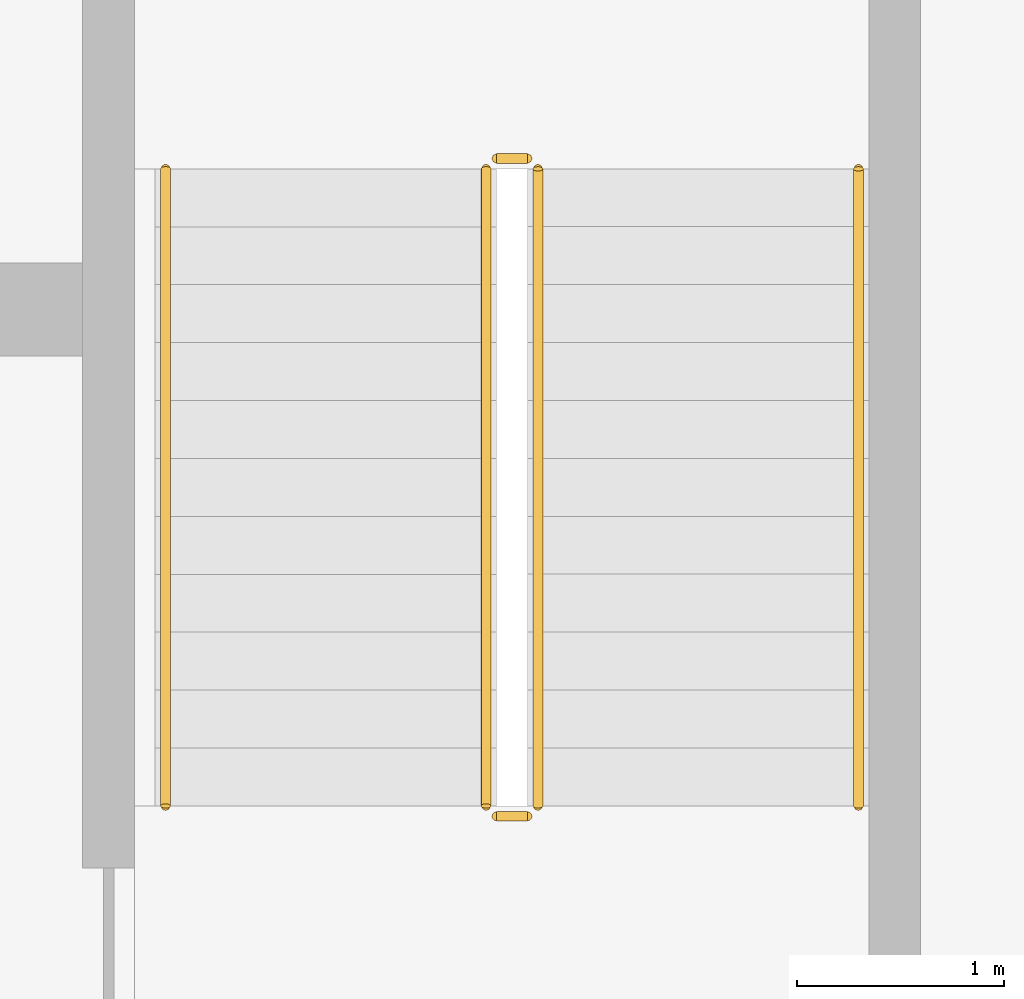
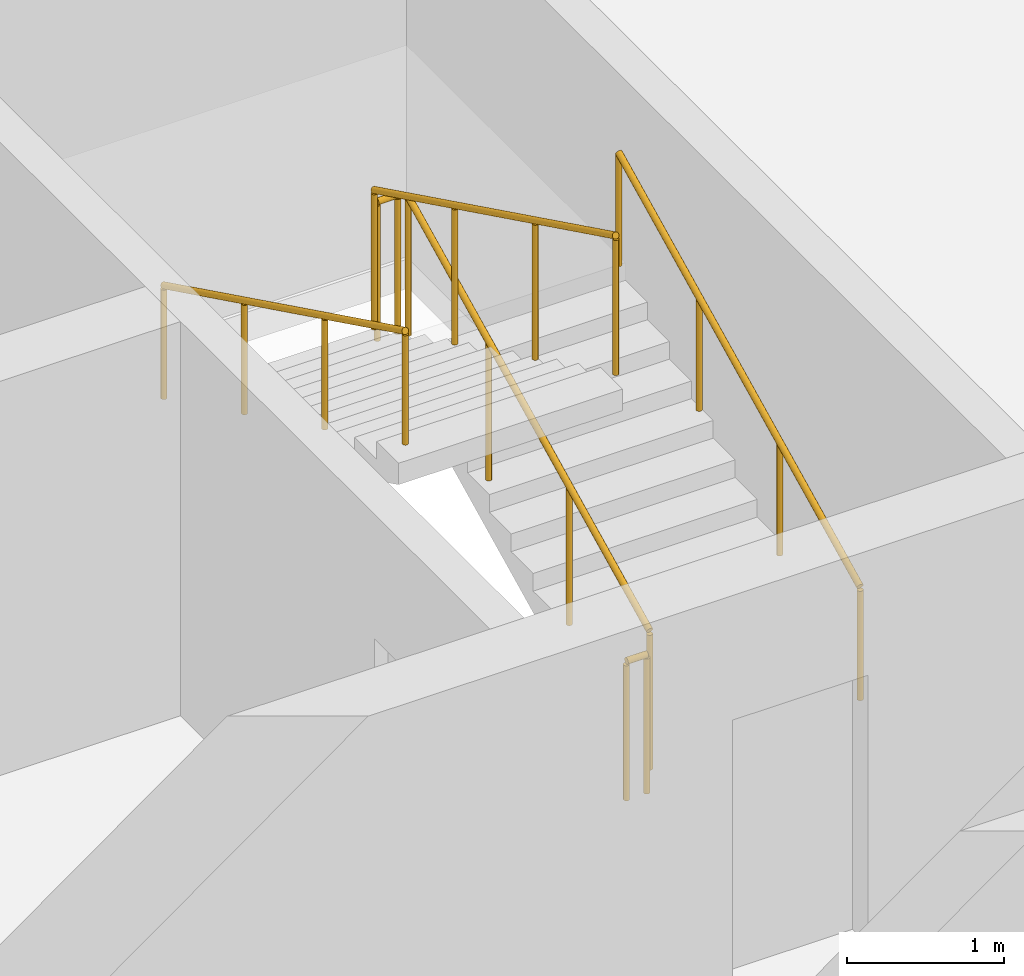
# One storey, part 16 of 32: 6 railings.
"""IFC4 building model written with IfcOpenShell, lengths in metres."""

from ifc_helpers import new_model, si_unit, direction, frame, origin, origin_2d, place, context, subcontext, project, spatial, circle, extrude, material, type_object, element, save


model = new_model("IFC4")

# Units and contexts
model_context = context("Model", 3, precision=1e-05, world=origin(), true_north=direction((0.0, 1.0)))
body_context = subcontext(model_context, "Body", "Model", "MODEL_VIEW")
ifc_project = project(units=[si_unit("LENGTHUNIT", "METRE"), si_unit("AREAUNIT", "SQUARE_METRE"), si_unit("VOLUMEUNIT", "CUBIC_METRE"), si_unit("PLANEANGLEUNIT", "RADIAN"), si_unit("MASSUNIT", "GRAM", prefix="KILO")], contexts=[model_context])

# Site, building, storey
site_placement = place(None, origin())
site = spatial("IfcSite", under=ifc_project, at=site_placement, CompositionType="ELEMENT")
building_placement = place(site_placement, origin())
building = spatial("IfcBuilding", under=site, at=building_placement, Name="Poui Terraces", CompositionType="ELEMENT")
storey_placement = place(building_placement, frame((0.0, 0.0, 125.699951171875)))
storey = spatial("IfcBuildingStorey", under=building, at=storey_placement, Name="L34", CompositionType="ELEMENT", Elevation=125.699951171875)

# Railings
ifc_material_1 = material(Name="Galvanised steel balustrade", Category="steel")
railing_type_1 = type_object("IfcRailingType", Name="STAIR GUARD 1100", PredefinedType="GUARDRAIL", material=ifc_material_1)
railing_1_placement = place(storey_placement, frame((70.27490234375, 16.60009765625, 0.137451171875)))
element("IfcRailing", 1, at=railing_1_placement, inside=storey, type_object=railing_type_1, Name="L34 ST-CE stair guard 1", PredefinedType="GUARDRAIL", context=body_context, shape_type="SweptSolid", body=[
    extrude(circle(Radius=0.02392578125, at=origin_2d()), frame((0.0, 0.0, 1.076171875), z_axis=(0.0, 0.897578036475, 0.440855609512), x_axis=(-1.0, 0.0, 0.0)), (0.0, 0.0, 1.0), 3.43115234375),
    extrude(circle(Radius=0.02099609375, at=origin_2d()), origin(), (0.0, 0.0, 1.0), 1.052001953125),
    extrude(circle(Radius=0.02099609375, at=origin_2d()), frame((0.0, 1.026611328125, 0.504150390625)), (0.0, 0.0, 1.0), 1.052001953125),
    extrude(circle(Radius=0.02099609375, at=origin_2d()), frame((0.0, 2.05322265625, 1.008544921875)), (0.0, 0.0, 1.0), 1.052001953125),
    extrude(circle(Radius=0.02099609375, at=origin_2d()), frame((0.0, 3.079833984375, 1.5126953125)), (0.0, 0.0, 1.0), 1.052001953125),
])
railing_2_placement = place(storey_placement, frame((70.22509765625, 19.72998046875, 1.650146484375)))
element("IfcRailing", 2, at=railing_2_placement, inside=storey, type_object=railing_type_1, Name="L34 ST-CE stair guard 2", PredefinedType="GUARDRAIL", context=body_context, shape_type="SweptSolid", body=[
    extrude(circle(Radius=0.02392578125, at=origin_2d()), frame((0.0, 0.0, 1.076171875), z_axis=(-1.0, 0.0, 0.0), x_axis=(0.0, -1.0, 0.0)), (0.0, 0.0, 1.0), 0.150146484375),
    extrude(circle(Radius=0.02099609375, at=origin_2d()), origin(), (0.0, 0.0, 1.0), 1.052001953125),
    extrude(circle(Radius=0.02099609375, at=origin_2d()), frame((-0.150146484375, 0.0, 0.0)), (0.0, 0.0, 1.0), 1.052001953125),
])
railing_3_placement = place(storey_placement, frame((70.02490234375, 19.679931640625, 1.78759765625)))
element("IfcRailing", 3, at=railing_3_placement, inside=storey, type_object=railing_type_1, Name="L34 ST-CE stair guard 3", PredefinedType="GUARDRAIL", context=body_context, shape_type="SweptSolid", body=[
    extrude(circle(Radius=0.02392578125, at=origin_2d()), frame((0.0, 0.0, 1.076171875), z_axis=(0.0, -0.897606190399, 0.440798283751), x_axis=(1.0, 0.0, 0.0)), (0.0, 0.0, 1.0), 3.43115234375),
    extrude(circle(Radius=0.02099609375, at=origin_2d()), origin(), (0.0, 0.0, 1.0), 1.052001953125),
    extrude(circle(Radius=0.02099609375, at=origin_2d()), frame((0.0, -1.026611328125, 0.504150390625)), (0.0, 0.0, 1.0), 1.052001953125),
    extrude(circle(Radius=0.02099609375, at=origin_2d()), frame((0.0, -2.05322265625, 1.00830078125)), (0.0, 0.0, 1.0), 1.052001953125),
    extrude(circle(Radius=0.02099609375, at=origin_2d()), frame((0.0, -3.079833984375, 1.512451171875)), (0.0, 0.0, 1.0), 1.052001953125),
])
railing_4_placement = place(storey_placement, frame((70.22509765625, 16.550048828125, 0.0)))
element("IfcRailing", 4, at=railing_4_placement, inside=storey, type_object=railing_type_1, Name="L34 ST-CE stair guard 4", PredefinedType="GUARDRAIL", context=body_context, shape_type="SweptSolid", body=[
    extrude(circle(Radius=0.02392578125, at=origin_2d()), frame((0.0, 0.0, 1.076171875), z_axis=(-1.0, 0.0, 0.0), x_axis=(0.0, -1.0, 0.0)), (0.0, 0.0, 1.0), 0.150146484375),
    extrude(circle(Radius=0.02099609375, at=origin_2d()), origin(), (0.0, 0.0, 1.0), 1.052001953125),
    extrude(circle(Radius=0.02099609375, at=origin_2d()), frame((-0.150146484375, 0.0, 0.0)), (0.0, 0.0, 1.0), 1.052001953125),
])
ifc_material_2 = material(Name="Stainless steel handrail", Category="steel")
railing_type_2 = type_object("IfcRailingType", Name="STAIR HANDRAIL 900", PredefinedType="HANDRAIL", material=ifc_material_2)
railing_5_placement = place(storey_placement, frame((71.824951171875, 16.60009765625, 0.137451171875)))
element("IfcRailing", 5, at=railing_5_placement, inside=storey, type_object=railing_type_2, Name="L34 ST-CE stair handrail 1", PredefinedType="HANDRAIL", context=body_context, shape_type="SweptSolid", body=[
    extrude(circle(Radius=0.02392578125, at=origin_2d()), frame((0.0, 0.0, 0.8759765625), z_axis=(0.0, 0.897578036475, 0.440855609512), x_axis=(-1.0, 0.0, 0.0)), (0.0, 0.0, 1.0), 3.43115234375),
    extrude(circle(Radius=0.02099609375, at=origin_2d()), origin(), (0.0, 0.0, 1.0), 0.851806640625),
    extrude(circle(Radius=0.02099609375, at=origin_2d()), frame((0.0, 1.026611328125, 0.504150390625)), (0.0, 0.0, 1.0), 0.851806640625),
    extrude(circle(Radius=0.02099609375, at=origin_2d()), frame((0.0, 2.05322265625, 1.008544921875)), (0.0, 0.0, 1.0), 0.851806640625),
    extrude(circle(Radius=0.02099609375, at=origin_2d()), frame((0.0, 3.079833984375, 1.5126953125)), (0.0, 0.0, 1.0), 0.851806640625),
])
railing_6_placement = place(storey_placement, frame((68.47509765625, 19.679931640625, 1.78759765625)))
element("IfcRailing", 6, at=railing_6_placement, inside=storey, type_object=railing_type_2, Name="L34 ST-CE stair handrail 2", PredefinedType="HANDRAIL", context=body_context, shape_type="SweptSolid", body=[
    extrude(circle(Radius=0.02392578125, at=origin_2d()), frame((0.0, 0.0, 0.8759765625), z_axis=(0.0, -0.897606190399, 0.440798283751), x_axis=(1.0, 0.0, 0.0)), (0.0, 0.0, 1.0), 3.43115234375),
    extrude(circle(Radius=0.02099609375, at=origin_2d()), origin(), (0.0, 0.0, 1.0), 0.851806640625),
    extrude(circle(Radius=0.02099609375, at=origin_2d()), frame((0.0, -1.026611328125, 0.504150390625)), (0.0, 0.0, 1.0), 0.851806640625),
    extrude(circle(Radius=0.02099609375, at=origin_2d()), frame((0.0, -2.05322265625, 1.00830078125)), (0.0, 0.0, 1.0), 0.851806640625),
    extrude(circle(Radius=0.02099609375, at=origin_2d()), frame((0.0, -3.079833984375, 1.512451171875)), (0.0, 0.0, 1.0), 0.851806640625),
])

save(model, "model.ifc")
